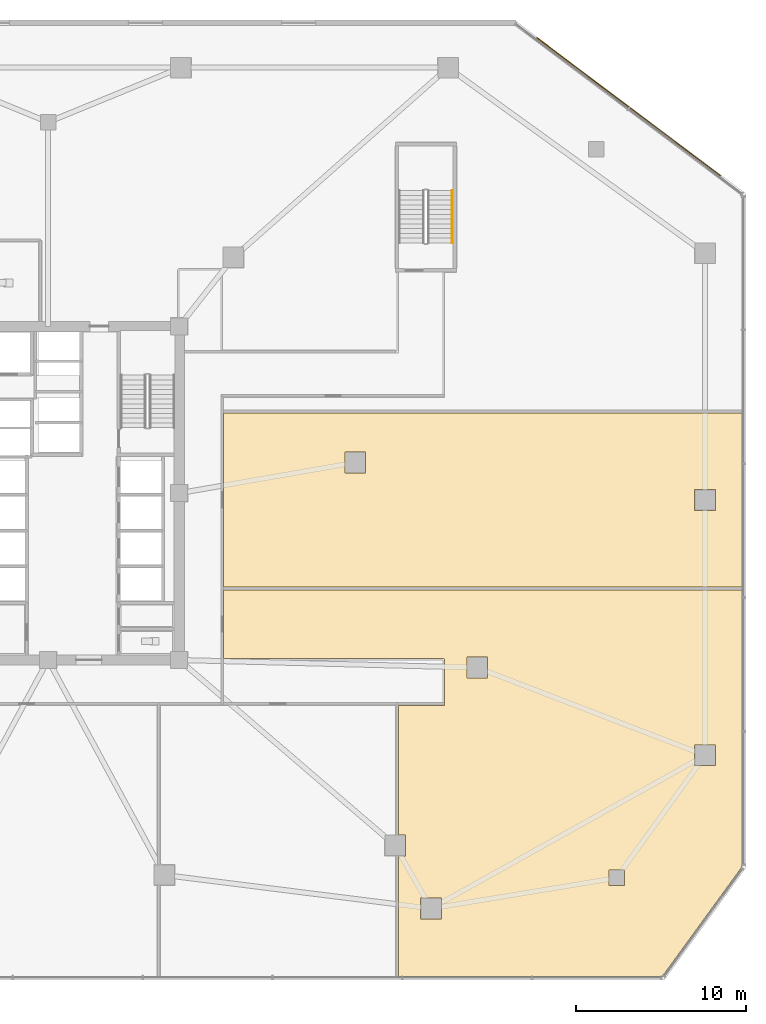
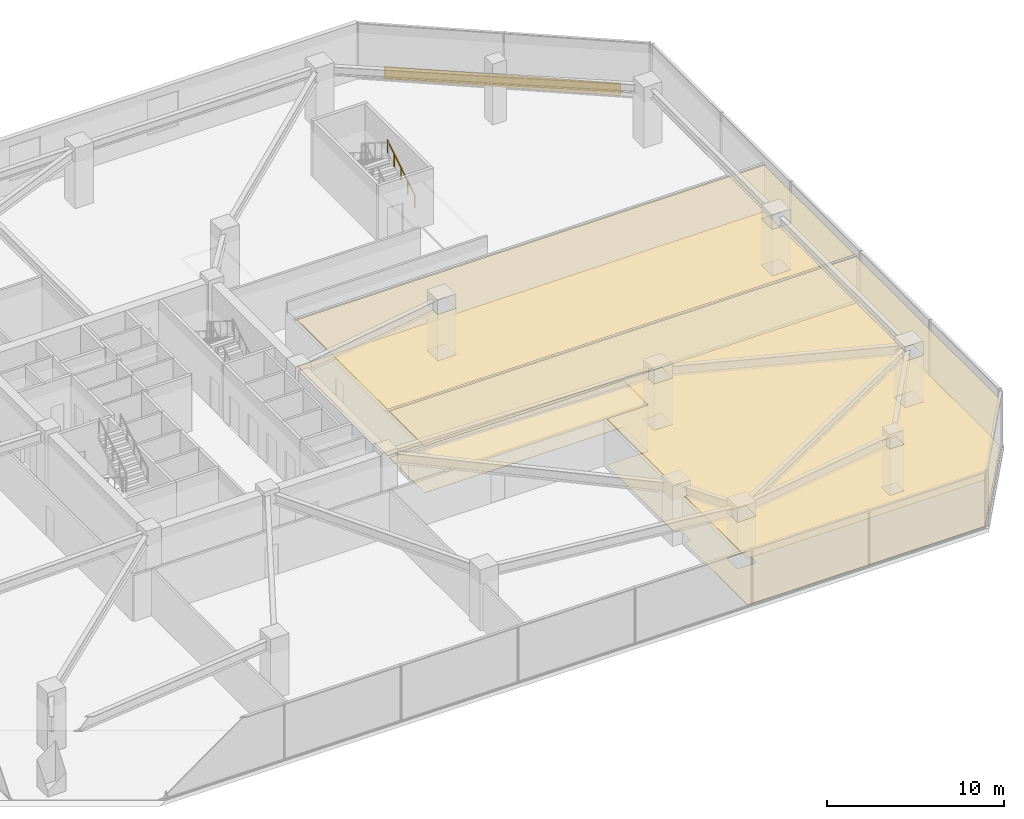
# One storey, part 21 of 22: 5 coverings, 1 railing.
"""IFC4 building model written with IfcOpenShell, lengths in metres."""

from ifc_helpers import new_model, si_unit, direction, frame, origin, origin_2d, place, context, subcontext, project, spatial, polyline, rectangle, circle, outline, extrude, material, layer, layer_set, type_object, element, save


model = new_model("IFC4")

# Units and contexts
model_context = context("Model", 3, precision=1e-05, world=origin(), true_north=direction((0.0, 1.0)))
body_context = subcontext(model_context, "Body", "Model", "MODEL_VIEW")
ifc_project = project(units=[si_unit("LENGTHUNIT", "METRE"), si_unit("AREAUNIT", "SQUARE_METRE"), si_unit("VOLUMEUNIT", "CUBIC_METRE"), si_unit("PLANEANGLEUNIT", "RADIAN"), si_unit("MASSUNIT", "GRAM", prefix="KILO")], contexts=[model_context])

# Site, building, storey
site_placement = place(None, origin())
site = spatial("IfcSite", under=ifc_project, at=site_placement, CompositionType="ELEMENT")
building_placement = place(site_placement, origin())
building = spatial("IfcBuilding", under=site, at=building_placement, Name="Savorim Split Tower", CompositionType="ELEMENT")
storey_placement = place(building_placement, frame((0.0, 0.0, 17.60009765625)))
storey = spatial("IfcBuildingStorey", under=building, at=storey_placement, Name="L04", CompositionType="ELEMENT", Elevation=17.60009765625)

# Coverings
ifc_material_1 = material(Name="Mineral Fibre Acoustic Ceiling")
ifc_layer_1 = layer(ifc_material_1, 0.02490234375)
ifc_layer_set_1 = layer_set([ifc_layer_1], Name="COV-CEIL-25")
covering_type_1 = type_object("IfcCoveringType", Name="COV-CEIL-25", PredefinedType="CEILING", material=ifc_layer_set_1)
covering_1_placement = place(storey_placement, frame((0.0, 0.0, 3.199951171875)))
element("IfcCovering", 1, at=covering_1_placement, inside=storey, type_object=covering_type_1, Name="L04 Maker Workshop Acoustic Ceiling", PredefinedType="CEILING", context=body_context, shape_type="SweptSolid", body=[
    extrude(outline(polyline([(20.594970703125, -27.97998046875), (36.087890625, -27.97998046875), (40.780029296875, -21.528564453125), (40.780029296875, -5.294921875), (10.31494140625, -5.294921875), (10.31494140625, -9.300048828125), (23.199951171875, -9.300048828125), (23.209716796875, -9.300537109375), (23.219482421875, -9.302001953125), (23.22900390625, -9.30419921875), (23.23828125, -9.3076171875), (23.2470703125, -9.311767578125), (23.255615234375, -9.31689453125), (23.263427734375, -9.32275390625), (23.270751953125, -9.329345703125), (23.27734375, -9.336669921875), (23.283203125, -9.344482421875), (23.2880859375, -9.352783203125), (23.29248046875, -9.36181640625), (23.295654296875, -9.37109375), (23.298095703125, -9.380615234375), (23.299560546875, -9.39013671875), (23.300048828125, -9.39990234375), (23.300048828125, -11.89990234375), (23.299560546875, -11.909912109375), (23.298095703125, -11.91943359375), (23.295654296875, -11.928955078125), (23.29248046875, -11.938232421875), (23.2880859375, -11.947021484375), (23.283203125, -11.95556640625), (23.280029296875, -11.959716796875), (23.280029296875, -12.074951171875), (20.594970703125, -12.074951171875), (20.594970703125, -19.681884765625), (20.994140625, -19.681884765625), (20.994140625, -20.90185546875), (20.594970703125, -20.90185546875), (20.594970703125, -27.97998046875)]), holes=[polyline([(37.989990234375, -14.389892578125), (37.989990234375, -15.610107421875), (39.2099609375, -15.610107421875), (39.2099609375, -14.389892578125), (37.989990234375, -14.389892578125)]), polyline([(21.889892578125, -24.610107421875), (23.110107421875, -24.610107421875), (23.110107421875, -23.389892578125), (21.889892578125, -23.389892578125), (21.889892578125, -24.610107421875)]), polyline([(25.823486328125, -10.45556640625), (25.823486328125, -9.235595703125), (24.603515625, -9.235595703125), (24.603515625, -10.45556640625), (25.823486328125, -10.45556640625)]), polyline([(32.93994140625, -21.739990234375), (32.93994140625, -22.659912109375), (33.860107421875, -22.659912109375), (33.860107421875, -21.739990234375), (32.93994140625, -21.739990234375)])]), origin(), (0.0, 0.0, 1.0), 0.02490234375),
])
covering_2_placement = place(storey_placement, frame((0.0, 0.0, 3.199951171875)))
element("IfcCovering", 2, at=covering_2_placement, inside=storey, type_object=covering_type_1, Name="L04 Co-Working Commons Acoustic Ceiling", PredefinedType="CEILING", context=body_context, shape_type="SweptSolid", body=[
    extrude(outline(polyline([(10.31494140625, 5.10498046875), (10.31494140625, -5.10498046875), (40.780029296875, -5.10498046875), (40.780029296875, 5.10498046875), (10.31494140625, 5.10498046875)]), holes=[polyline([(37.989990234375, 0.610107421875), (37.989990234375, -0.610107421875), (39.2099609375, -0.610107421875), (39.2099609375, 0.610107421875), (37.989990234375, 0.610107421875)]), polyline([(18.659423828125, 2.8125), (17.439453125, 2.8125), (17.439453125, 1.592529296875), (18.659423828125, 1.592529296875), (18.659423828125, 2.8125)])]), origin(), (0.0, 0.0, 1.0), 0.02490234375),
])
ifc_material_2 = material(Name="Terracotta Ceramic-Coated Aluminium Fin", Category="masonry")
ifc_layer_2 = layer(ifc_material_2, 0.050048828125)
ifc_layer_set_2 = layer_set([ifc_layer_2], Name="COV-CLAD-TERRA")
covering_type_2 = type_object("IfcCoveringType", Name="COV-CLAD-TERRA", PredefinedType="CLADDING", material=ifc_layer_set_2)
covering_3_placement = place(storey_placement, frame((34.10009765625, 23.10009765625, 0.02490234375), z_axis=(0.0, 0.0, 1.0), x_axis=(-0.798635510047, 0.601815023152, 0.0)))
element("IfcCovering", 3, at=covering_3_placement, inside=storey, type_object=covering_type_2, Name="L04 NE Podium Spandrel Cladding", PredefinedType="CLADDING", context=body_context, shape_type="SweptSolid", body=[
    extrude(rectangle(XDim=13.5, YDim=0.050048828125, at=origin_2d()), origin(), (0.0, 0.0, 1.0), 0.85009765625),
])
ifc_material_3 = material(Name="Porcelain Stoneware Flooring", Category="masonry")
ifc_layer_3 = layer(ifc_material_3, 0.02001953125)
ifc_layer_set_3 = layer_set([ifc_layer_3], Name="COV-FLOR-20")
covering_type_3 = type_object("IfcCoveringType", Name="COV-FLOR-20", PredefinedType="FLOORING", material=ifc_layer_set_3)
covering_4_placement = place(storey_placement, origin())
element("IfcCovering", 4, at=covering_4_placement, inside=storey, type_object=covering_type_3, Name="L04 Maker Workshop Porcelain Flooring", PredefinedType="FLOORING", context=body_context, shape_type="SweptSolid", body=[
    extrude(outline(polyline([(20.594970703125, -27.97998046875), (36.087890625, -27.97998046875), (40.780029296875, -21.528564453125), (40.780029296875, -5.294921875), (10.31494140625, -5.294921875), (10.31494140625, -9.300048828125), (23.199951171875, -9.300048828125), (23.209716796875, -9.300537109375), (23.219482421875, -9.302001953125), (23.22900390625, -9.30419921875), (23.23828125, -9.3076171875), (23.2470703125, -9.311767578125), (23.255615234375, -9.31689453125), (23.263427734375, -9.32275390625), (23.270751953125, -9.329345703125), (23.27734375, -9.336669921875), (23.283203125, -9.344482421875), (23.2880859375, -9.352783203125), (23.29248046875, -9.36181640625), (23.295654296875, -9.37109375), (23.298095703125, -9.380615234375), (23.299560546875, -9.39013671875), (23.300048828125, -9.39990234375), (23.300048828125, -11.89990234375), (23.299560546875, -11.909912109375), (23.298095703125, -11.91943359375), (23.295654296875, -11.928955078125), (23.29248046875, -11.938232421875), (23.2880859375, -11.947021484375), (23.283203125, -11.95556640625), (23.280029296875, -11.959716796875), (23.280029296875, -12.074951171875), (20.594970703125, -12.074951171875), (20.594970703125, -19.681884765625), (20.994140625, -19.681884765625), (20.994140625, -20.90185546875), (20.594970703125, -20.90185546875), (20.594970703125, -27.97998046875)]), holes=[polyline([(37.989990234375, -14.389892578125), (37.989990234375, -15.610107421875), (39.2099609375, -15.610107421875), (39.2099609375, -14.389892578125), (37.989990234375, -14.389892578125)]), polyline([(21.889892578125, -24.610107421875), (23.110107421875, -24.610107421875), (23.110107421875, -23.389892578125), (21.889892578125, -23.389892578125), (21.889892578125, -24.610107421875)]), polyline([(25.823486328125, -10.45556640625), (25.823486328125, -9.235595703125), (24.603515625, -9.235595703125), (24.603515625, -10.45556640625), (25.823486328125, -10.45556640625)]), polyline([(32.93994140625, -21.739990234375), (32.93994140625, -22.659912109375), (33.860107421875, -22.659912109375), (33.860107421875, -21.739990234375), (32.93994140625, -21.739990234375)])]), origin(), (0.0, 0.0, 1.0), 0.02001953125),
])
covering_5_placement = place(storey_placement, origin())
element("IfcCovering", 5, at=covering_5_placement, inside=storey, type_object=covering_type_3, Name="L04 Co-Working Commons Porcelain Flooring", PredefinedType="FLOORING", context=body_context, shape_type="SweptSolid", body=[
    extrude(outline(polyline([(10.31494140625, 5.10498046875), (10.31494140625, -5.10498046875), (40.780029296875, -5.10498046875), (40.780029296875, 5.10498046875), (10.31494140625, 5.10498046875)]), holes=[polyline([(37.989990234375, 0.610107421875), (37.989990234375, -0.610107421875), (39.2099609375, -0.610107421875), (39.2099609375, 0.610107421875), (37.989990234375, 0.610107421875)]), polyline([(18.659423828125, 2.8125), (17.439453125, 2.8125), (17.439453125, 1.592529296875), (18.659423828125, 1.592529296875), (18.659423828125, 2.8125)])]), origin(), (0.0, 0.0, 1.0), 0.02001953125),
])

# Railing
ifc_material_4 = material(Name="Galvanised Painted Steel Balustrade", Category="steel")
railing_type = type_object("IfcRailingType", Name="RLG-HR-900", PredefinedType="HANDRAIL", material=ifc_material_4)
railing_placement = place(storey_placement, frame((23.75, 15.10009765625, 0.1748046875)))
element("IfcRailing", 6, at=railing_placement, inside=storey, type_object=railing_type, Name="L04 ST-3 stair handrail 1", PredefinedType="HANDRAIL", context=body_context, shape_type="SweptSolid", body=[
    extrude(circle(Radius=0.02392578125, at=origin_2d()), frame((0.0, 0.0, 0.8759765625), z_axis=(0.0, 0.847979421464, 0.530029150871), x_axis=(-1.0, 0.0, 0.0)), (0.0, 0.0, 1.0), 3.632080078125),
    extrude(circle(Radius=0.02099609375, at=origin_2d()), origin(), (0.0, 0.0, 1.0), 0.851806640625),
    extrude(circle(Radius=0.02099609375, at=origin_2d()), frame((0.0, 0.77001953125, 0.481201171875)), (0.0, 0.0, 1.0), 0.851806640625),
    extrude(circle(Radius=0.02099609375, at=origin_2d()), frame((0.0, 1.5400390625, 0.96240234375)), (0.0, 0.0, 1.0), 0.851806640625),
    extrude(circle(Radius=0.02099609375, at=origin_2d()), frame((0.0, 2.309814453125, 1.44384765625)), (0.0, 0.0, 1.0), 0.851806640625),
    extrude(circle(Radius=0.02099609375, at=origin_2d()), frame((0.0, 3.079833984375, 1.925048828125)), (0.0, 0.0, 1.0), 0.851806640625),
])

save(model, "model.ifc")
